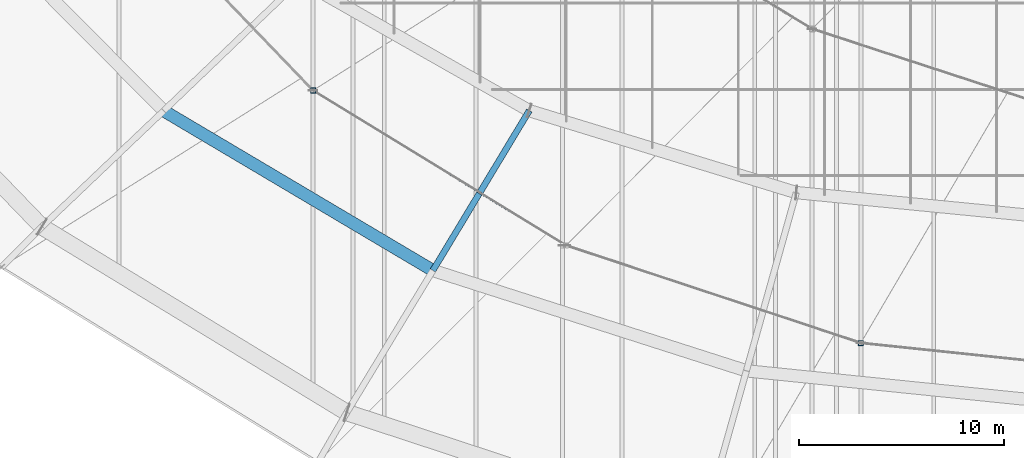
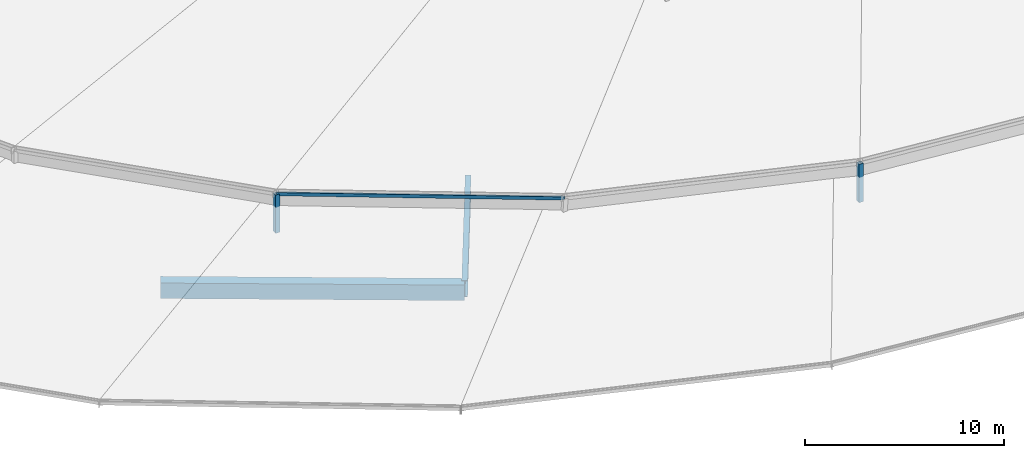
# One storey, part 2 of 184: 3 members, 2 beams.
"""IFC4 building model written with IfcOpenShell, lengths in metres."""

from ifc_helpers import new_model, si_unit, direction, frame, origin, origin_2d, place, context, subcontext, project, spatial, hollow_rectangle, i_section, extrude, material, material_profile, profile_set, type_object, element, save


model = new_model("IFC4")

# Units and contexts
model_context = context("Model", 3, precision=1e-05, world=origin(), true_north=direction((0.0, 1.0)))
body_context = subcontext(model_context, "Body", "Model", "MODEL_VIEW")
ifc_project = project(units=[si_unit("LENGTHUNIT", "METRE"), si_unit("AREAUNIT", "SQUARE_METRE"), si_unit("VOLUMEUNIT", "CUBIC_METRE"), si_unit("PLANEANGLEUNIT", "RADIAN"), si_unit("MASSUNIT", "GRAM", prefix="KILO")], contexts=[model_context])

# Site, building, storey
site_placement = place(None, origin())
site = spatial("IfcSite", under=ifc_project, at=site_placement, CompositionType="ELEMENT")
building_placement = place(site_placement, origin())
building = spatial("IfcBuilding", under=site, at=building_placement, Name="Kalgoora Escarpment Arena", CompositionType="ELEMENT")
storey_placement = place(building_placement, frame((0.0, 0.0, 27.60009765625)))
storey = spatial("IfcBuildingStorey", under=building, at=storey_placement, Name="Roof Level", CompositionType="ELEMENT", Elevation=27.60009765625)

# Beams
ifc_material_1 = material(Name="Structural steel Grade 350 (350 MPa)", Category="steel")
ifc_material_profile_1 = material_profile(ifc_material_1, hollow_rectangle(XDim=0.60009765625, YDim=0.949951171875, WallThickness=0.02490234375, at=origin_2d()))
ifc_profile_set_1 = profile_set([ifc_material_profile_1], Name="Structural steel Grade 350 (350 MPa)")
beam_type_1 = type_object("IfcBeamType", Name="BM-RING-BOX950", PredefinedType="USERDEFINED", material=ifc_profile_set_1)
beam_1_placement = place(storey_placement, frame((47.5693359375, 29.351806640625, -1.35009765625), z_axis=(0.860118993826, -0.51009343895, 0.0), x_axis=(0.51009343895, 0.860118993826, 0.0)))
element("IfcBeam", 1, at=beam_1_placement, inside=storey, type_object=beam_type_1, Name="Concourse roof RING BEAM chord 16", ObjectType="GIRDER", PredefinedType="USERDEFINED", context=body_context, shape_type="SweptSolid", body=[
    extrude(hollow_rectangle(XDim=0.60009765625, YDim=0.949951171875, WallThickness=0.02490234375, at=origin_2d()), origin(), (0.0, 0.0, 1.0), 15.26611328125),
])
ifc_material_2 = material(Name="Structural steel Grade 350 (350 MPa)", Category="steel")
ifc_material_profile_2 = material_profile(ifc_material_2, i_section(OverallWidth=0.300048828125, OverallDepth=1.010009765625, WebThickness=0.01611328125, FlangeThickness=0.030029296875, at=origin_2d()))
ifc_profile_set_2 = profile_set([ifc_material_profile_2], Name="Structural steel Grade 350 (350 MPa)")
beam_type_2 = type_object("IfcBeamType", Name="BM-TRUSS-CHORD", PredefinedType="USERDEFINED", material=ifc_profile_set_2)
beam_2_placement = place(storey_placement, frame((60.699951171875, 21.564697265625, -1.300048828125), z_axis=(0.516356882629, 0.856303229855, 0.010970337385), x_axis=(-0.856354761826, 0.516387956771, 0.0)))
element("IfcBeam", 2, at=beam_2_placement, inside=storey, type_object=beam_type_2, Name="Inner radial petal support girder R17", ObjectType="GIRDER", PredefinedType="USERDEFINED", context=body_context, shape_type="SweptSolid", body=[
    extrude(i_section(OverallWidth=0.300048828125, OverallDepth=1.010009765625, WebThickness=0.01611328125, FlangeThickness=0.030029296875, at=origin_2d()), origin(), (0.0, 0.0, 1.0), 9.10205078125),
])

# Members
ifc_material_3 = material(Name="Structural steel C450 (450 MPa)", Category="steel")
ifc_material_profile_3 = material_profile(ifc_material_3, hollow_rectangle(XDim=0.25, YDim=0.25, WallThickness=0.012451171875, at=origin_2d()))
ifc_profile_set_3 = profile_set([ifc_material_profile_3], Name="Structural steel C450 (450 MPa)")
member_type_1 = type_object("IfcMemberType", Name="MEM-PETAL-POST", PredefinedType="POST", material=ifc_profile_set_3)
for number, where, z_axis, x_axis, name in (
    (3, (54.8564453125, 30.341796875, -1.080078125), (0.0, 0.0, 1.0), (1.0, 0.0, 0.0), "Petal RP2 vertical support post S16"),
    (4, (81.574462890625, 18.02197265625, -1.080078125), (0.0, 0.0, 1.0), (1.0, 0.0, 0.0), "Petal RP2 vertical support post S18"),
):
    element("IfcMember", number, at=place(storey_placement, frame(where, z_axis=z_axis, x_axis=x_axis)), inside=storey, type_object=member_type_1, Name=name, PredefinedType="POST", context=body_context, shape_type="SweptSolid", body=[
        extrude(hollow_rectangle(XDim=0.25, YDim=0.25, WallThickness=0.012451171875, at=origin_2d()), origin(), (0.0, 0.0, 1.0), 2.344970703125),
    ])
ifc_material_4 = material(Name="Structural steel C350 (350 MPa)", Category="steel")
ifc_material_profile_4 = material_profile(ifc_material_4, hollow_rectangle(XDim=0.10009765625, YDim=0.199951171875, WallThickness=0.009033203125, at=origin_2d()))
ifc_profile_set_4 = profile_set([ifc_material_profile_4], Name="Structural steel C350 (350 MPa)")
member_type_2 = type_object("IfcMemberType", Name="MEM-PURLIN-RHS", PredefinedType="PURLIN", material=ifc_profile_set_4)
member_placement = place(storey_placement, frame((54.8564453125, 30.341796875, 1.244873046875), z_axis=(0.852622095619, -0.522528049067, 0.0), x_axis=(0.522528049067, 0.852622095619, 0.0)))
element("IfcMember", 5, at=member_placement, inside=storey, type_object=member_type_2, Name="Petal RP2 eave support ring purlin S16", PredefinedType="PURLIN", context=body_context, shape_type="SweptSolid", body=[
    extrude(hollow_rectangle(XDim=0.10009765625, YDim=0.199951171875, WallThickness=0.009033203125, at=origin_2d()), origin(), (0.0, 0.0, 1.0), 14.47705078125),
])

save(model, "model.ifc")
